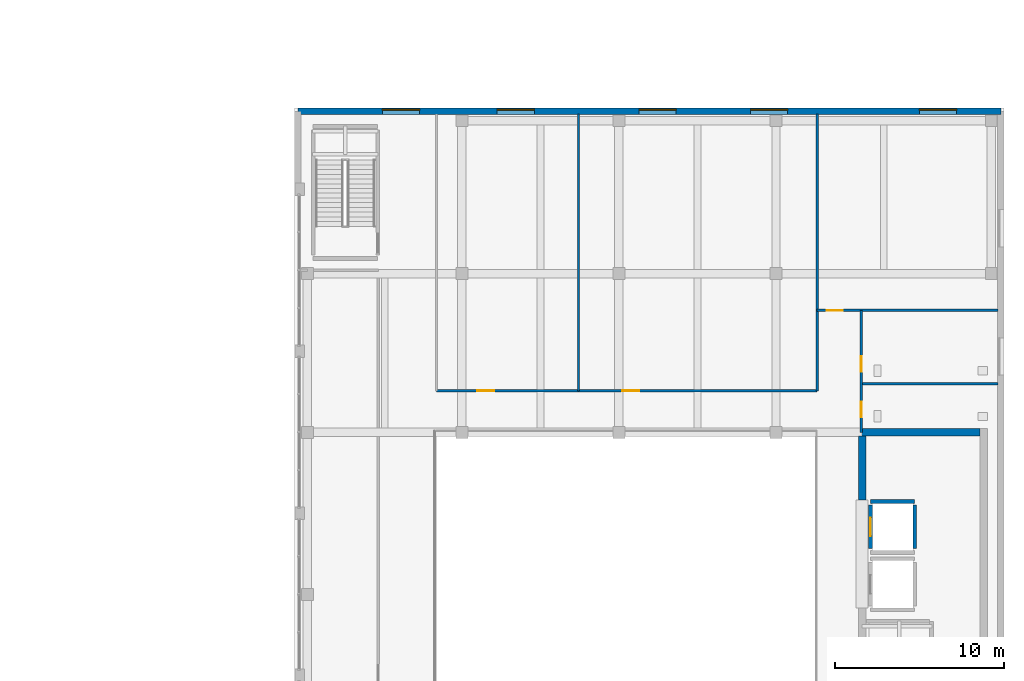
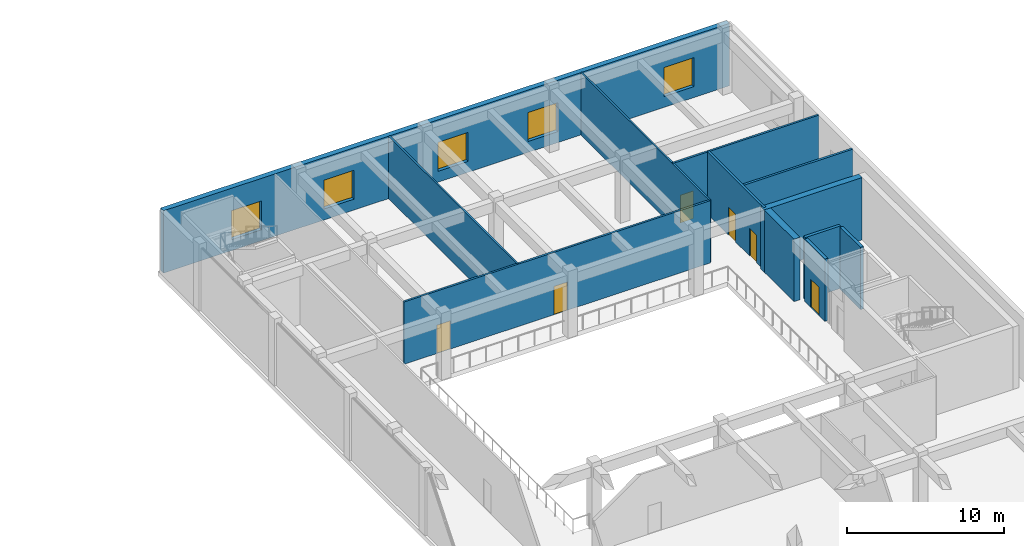
# One storey, part 8 of 22: 12 walls, 6 doors, 5 windows, 11 openings.
"""IFC4 building model written with IfcOpenShell, lengths in metres."""

from ifc_helpers import new_model, si_unit, direction, frame, frame_2d, origin, place, context, subcontext, project, spatial, rectangle, extrude, material, layer, layer_set, type_object, element, fill, save


model = new_model("IFC4")

# Units and contexts
model_context = context("Model", 3, precision=1e-05, world=origin(), true_north=direction((0.0, 1.0)))
body_context = subcontext(model_context, "Body", "Model", "MODEL_VIEW")
ifc_project = project(units=[si_unit("LENGTHUNIT", "METRE"), si_unit("AREAUNIT", "SQUARE_METRE"), si_unit("VOLUMEUNIT", "CUBIC_METRE"), si_unit("PLANEANGLEUNIT", "RADIAN"), si_unit("MASSUNIT", "GRAM", prefix="KILO")], contexts=[model_context])

# Site, building, storey
site_placement = place(None, origin())
site = spatial("IfcSite", under=ifc_project, at=site_placement, CompositionType="ELEMENT")
building_placement = place(site_placement, origin())
building = spatial("IfcBuilding", under=site, at=building_placement, Name="Norrvale University Quadrangle", CompositionType="ELEMENT")
storey_placement = place(building_placement, frame((0.0, 0.0, 5.199951171875)))
storey = spatial("IfcBuildingStorey", under=building, at=storey_placement, Name="L01", CompositionType="ELEMENT", Elevation=5.199951171875)

# Walls
ifc_material_1 = material(Name="Standard Academic Gypsum Partition")
ifc_layer_1 = layer(ifc_material_1, 0.125, Name="Standard Academic Gypsum Partition")
ifc_layer_set_1 = layer_set([ifc_layer_1], Name="Standard Academic Gypsum Partition")
wall_type_1 = type_object("IfcWallType", Name="Wall Gypsum Academic 125", PredefinedType="PARTITIONING", material=ifc_layer_set_1)
for number, where, z_axis, x_axis, name in (
    (1, (102.0, 40.860107421875, 0.0), (0.0, 0.0, 1.0), (0.0, 1.0, 0.0), "Interior Partition WL-L01-LSN-M"),
    (2, (116.139892578125, 40.860107421875, 0.0), (0.0, 0.0, 1.0), (0.0, 1.0, 0.0), "Interior Partition WL-L01-LSN-E"),
):
    element("IfcWall", number, at=place(storey_placement, frame(where, z_axis=z_axis, x_axis=x_axis)), inside=storey, type_object=wall_type_1, Name=name, PredefinedType="PARTITIONING", context=body_context, shape_type="SweptSolid", body=[
        extrude(rectangle(XDim=16.389892578125, YDim=0.125, at=frame_2d((8.19482421875, 0.0))), origin(), (0.0, 0.0, 1.0), 4.85009765625),
    ])

# Wall, openings, doors
ifc_material_2 = material(Name="Fire-Rated Gypsum Stud Partition")
ifc_layer_2 = layer(ifc_material_2, 0.14990234375, Name="Fire-Rated Gypsum Stud Partition")
ifc_layer_set_2 = layer_set([ifc_layer_2], Name="Fire-Rated Gypsum Stud Partition")
wall_type_2 = type_object("IfcWallType", Name="Wall Gypsum Corridor 150", PredefinedType="PARTITIONING", material=ifc_layer_set_2)
wall_1_placement = place(storey_placement, frame((93.60009765625, 40.860107421875, 0.0), z_axis=(0.0, 0.0, 1.0), x_axis=(1.0, 0.0, 0.0)))
wall_1 = element("IfcWall", 3, at=wall_1_placement, inside=storey, type_object=wall_type_2, Name="Interior Partition WL-L01-LSN-S", PredefinedType="PARTITIONING", context=body_context, shape_type="SweptSolid", body=[
    extrude(rectangle(XDim=22.539794921875, YDim=0.14990234375, at=frame_2d((11.27001953125, 0.0))), origin(), (0.0, 0.0, 1.0), 4.85009765625),
])
opening_1_placement = place(wall_1_placement, frame((2.39990234375, 0.0, 0.0)))
opening_1 = element("IfcOpeningElement", 4, at=opening_1_placement, cuts=wall_1, Name="Opening D04", PredefinedType="OPENING", context=body_context, shape_type="SweptSolid", body=[
    extrude(rectangle(XDim=1.0, YDim=2.199951171875, at=frame_2d((0.5, 1.10009765625))), frame((0.0, 0.0869140625, 0.0), z_axis=(0.0, -1.0, 0.0), x_axis=(1.0, 0.0, 0.0)), (0.0, 0.0, 1.0), 0.173828125),
])
opening_2_placement = place(wall_1_placement, frame((11.0, 0.0, 0.0)))
opening_2 = element("IfcOpeningElement", 5, at=opening_2_placement, cuts=wall_1, Name="Opening D04", PredefinedType="OPENING", context=body_context, shape_type="SweptSolid", body=[
    extrude(rectangle(XDim=1.0, YDim=2.199951171875, at=frame_2d((0.5, 1.10009765625))), frame((0.0, 0.0869140625, 0.0), z_axis=(0.0, -1.0, 0.0), x_axis=(1.0, 0.0, 0.0)), (0.0, 0.0, 1.0), 0.173828125),
])
ifc_material_3 = material(Name="Solid-Core Oak Fire Door", Category="wood")
door_type_1 = type_object("IfcDoorType", Name="Door Corridor 1000x2200", OperationType="NOTDEFINED", PredefinedType="DOOR", material=ifc_material_3)
door_1_placement = place(opening_1_placement, origin())
door_1 = element("IfcDoor", 6, at=door_1_placement, inside=storey, type_object=door_type_1, Name="Door Corridor 1000x2200 DR-L01-LN1", OperationType="SINGLE_SWING_LEFT", OverallHeight=2.199951171875, OverallWidth=1.0, PredefinedType="DOOR", context=body_context, shape_type="SweptSolid", body=[
    extrude(rectangle(XDim=1.0, YDim=2.199951171875, at=frame_2d((0.5, 1.10009765625))), frame((0.0, 0.02490234375, 0.0), z_axis=(0.0, -1.0, 0.0), x_axis=(1.0, 0.0, 0.0)), (0.0, 0.0, 1.0), 0.050048828125),
])
fill(opening_1, door_1)
door_2_placement = place(opening_2_placement, origin())
door_2 = element("IfcDoor", 7, at=door_2_placement, inside=storey, type_object=door_type_1, Name="Door Corridor 1000x2200 DR-L01-LN2", OperationType="SINGLE_SWING_RIGHT", OverallHeight=2.199951171875, OverallWidth=1.0, PredefinedType="DOOR", context=body_context, shape_type="SweptSolid", body=[
    extrude(rectangle(XDim=1.0, YDim=2.199951171875, at=frame_2d((0.5, 1.10009765625))), frame((0.0, 0.02490234375, 0.0), z_axis=(0.0, -1.0, 0.0), x_axis=(1.0, 0.0, 0.0)), (0.0, 0.0, 1.0), 0.050048828125),
])
fill(opening_2, door_2)

# Wall, opening, door
wall_2_placement = place(storey_placement, frame((116.139892578125, 45.6201171875, 0.0), z_axis=(0.0, 0.0, 1.0), x_axis=(1.0, 0.0, 0.0)))
wall_2 = element("IfcWall", 8, at=wall_2_placement, inside=storey, type_object=wall_type_2, Name="Interior Partition WL-L01-LNS-S", PredefinedType="PARTITIONING", context=body_context, shape_type="SweptSolid", body=[
    extrude(rectangle(XDim=10.710205078125, YDim=0.14990234375, at=frame_2d((5.35498046875, 0.0))), origin(), (0.0, 0.0, 1.0), 4.85009765625),
])
opening_3_placement = place(wall_2_placement, frame((0.550048828125, 0.0, 0.0)))
opening_3 = element("IfcOpeningElement", 9, at=opening_3_placement, cuts=wall_2, Name="Opening D07", PredefinedType="OPENING", context=body_context, shape_type="SweptSolid", body=[
    extrude(rectangle(XDim=0.949951171875, YDim=2.14990234375, at=frame_2d((0.47509765625, 1.074951171875))), frame((0.0, 0.0869140625, 0.0), z_axis=(0.0, -1.0, 0.0), x_axis=(1.0, 0.0, 0.0)), (0.0, 0.0, 1.0), 0.173828125),
])
ifc_material_4 = material(Name="Solid-Core Maple Door", Category="wood")
door_type_2 = type_object("IfcDoorType", Name="Door Office 950x2150", OperationType="NOTDEFINED", PredefinedType="DOOR", material=ifc_material_4)
door_3_placement = place(opening_3_placement, origin())
door_3 = element("IfcDoor", 10, at=door_3_placement, inside=storey, type_object=door_type_2, Name="Door Office 950x2150 DR-L01-LNS", OperationType="SINGLE_SWING_LEFT", OverallHeight=2.14990234375, OverallWidth=0.949951171875, PredefinedType="DOOR", context=body_context, shape_type="SweptSolid", body=[
    extrude(rectangle(XDim=0.949951171875, YDim=2.14990234375, at=frame_2d((0.47509765625, 1.074951171875))), frame((0.0, 0.02490234375, 0.0), z_axis=(0.0, -1.0, 0.0), x_axis=(1.0, 0.0, 0.0)), (0.0, 0.0, 1.0), 0.050048828125),
])
fill(opening_3, door_3)

# Wall
ifc_material_5 = material(Name="Sanitary Chase Gypsum Partition")
ifc_layer_3 = layer(ifc_material_5, 0.1650390625, Name="Sanitary Chase Gypsum Partition")
ifc_layer_set_3 = layer_set([ifc_layer_3], Name="Sanitary Chase Gypsum Partition")
wall_type_3 = type_object("IfcWallType", Name="Wall Gypsum Sanitary 165", PredefinedType="PLUMBINGWALL", material=ifc_layer_set_3)
wall_3_placement = place(storey_placement, frame((118.75, 41.280029296875, 0.0), z_axis=(0.0, 0.0, 1.0), x_axis=(1.0, 0.0, 0.0)))
element("IfcWall", 11, at=wall_3_placement, inside=storey, type_object=wall_type_3, Name="Interior Partition WL-L01-LWC-M1", PredefinedType="PLUMBINGWALL", context=body_context, shape_type="SweptSolid", body=[
    extrude(rectangle(XDim=8.10009765625, YDim=0.1650390625, at=frame_2d((4.050048828125, 0.0))), origin(), (0.0, 0.0, 1.0), 4.85009765625),
])

# Wall, openings, doors
wall_4_placement = place(storey_placement, frame((118.75, 38.39990234375, 0.0), z_axis=(0.0, 0.0, 1.0), x_axis=(0.0, 1.0, 0.0)))
wall_4 = element("IfcWall", 12, at=wall_4_placement, inside=storey, type_object=wall_type_3, Name="Interior Partition WL-L01-LWC-W", PredefinedType="PLUMBINGWALL", context=body_context, shape_type="SweptSolid", body=[
    extrude(rectangle(XDim=7.22021484375, YDim=0.1650390625, at=frame_2d((3.610107421875, 0.0))), origin(), (0.0, 0.0, 1.0), 4.85009765625),
])
opening_4_placement = place(wall_4_placement, frame((0.89990234375, 0.0, 0.0)))
opening_4 = element("IfcOpeningElement", 13, at=opening_4_placement, cuts=wall_4, Name="Opening D08", PredefinedType="OPENING", context=body_context, shape_type="SweptSolid", body=[
    extrude(rectangle(XDim=0.919921875, YDim=2.14990234375, at=frame_2d((0.4599609375, 1.074951171875))), frame((0.0, 0.094482421875, 0.0), z_axis=(0.0, -1.0, 0.0), x_axis=(1.0, 0.0, 0.0)), (0.0, 0.0, 1.0), 0.18896484375),
])
opening_5_placement = place(wall_4_placement, frame((3.60009765625, 0.0, 0.0)))
opening_5 = element("IfcOpeningElement", 14, at=opening_5_placement, cuts=wall_4, Name="Opening D08", PredefinedType="OPENING", context=body_context, shape_type="SweptSolid", body=[
    extrude(rectangle(XDim=0.919921875, YDim=2.14990234375, at=frame_2d((0.4599609375, 1.074951171875))), frame((0.0, 0.094482421875, 0.0), z_axis=(0.0, -1.0, 0.0), x_axis=(1.0, 0.0, 0.0)), (0.0, 0.0, 1.0), 0.18896484375),
])
ifc_material_6 = material(Name="Laminate Washroom Door", Category="wood")
door_type_3 = type_object("IfcDoorType", Name="Door Washroom 920x2150", OperationType="NOTDEFINED", PredefinedType="DOOR", material=ifc_material_6)
door_4_placement = place(opening_4_placement, origin())
door_4 = element("IfcDoor", 15, at=door_4_placement, inside=storey, type_object=door_type_3, Name="Door Washroom 920x2150 DR-L01-LWC1", OperationType="SINGLE_SWING_LEFT", OverallHeight=2.14990234375, OverallWidth=0.919921875, PredefinedType="DOOR", context=body_context, shape_type="SweptSolid", body=[
    extrude(rectangle(XDim=0.919921875, YDim=2.14990234375, at=frame_2d((0.4599609375, 1.074951171875))), frame((0.0, 0.02490234375, 0.0), z_axis=(0.0, -1.0, 0.0), x_axis=(1.0, 0.0, 0.0)), (0.0, 0.0, 1.0), 0.050048828125),
])
fill(opening_4, door_4)
door_5_placement = place(opening_5_placement, origin())
door_5 = element("IfcDoor", 16, at=door_5_placement, inside=storey, type_object=door_type_3, Name="Door Washroom 920x2150 DR-L01-LWC2", OperationType="SINGLE_SWING_RIGHT", OverallHeight=2.14990234375, OverallWidth=0.919921875, PredefinedType="DOOR", context=body_context, shape_type="SweptSolid", body=[
    extrude(rectangle(XDim=0.919921875, YDim=2.14990234375, at=frame_2d((0.4599609375, 1.074951171875))), frame((0.0, 0.02490234375, 0.0), z_axis=(0.0, -1.0, 0.0), x_axis=(1.0, 0.0, 0.0)), (0.0, 0.0, 1.0), 0.050048828125),
])
fill(opening_5, door_5)

# Wall, openings, windows
ifc_material_7 = material(Name="Buff Norman Clay Brick Masonry", Category="masonry")
ifc_layer_4 = layer(ifc_material_7, 0.3798828125, Name="Buff Norman Clay Brick Masonry")
ifc_layer_set_4 = layer_set([ifc_layer_4], Name="Buff Norman Clay Brick Masonry")
wall_type_4 = type_object("IfcWallType", Name="Wall Lib Brick 380", PredefinedType="SOLIDWALL", material=ifc_layer_set_4)
wall_5_placement = place(storey_placement, frame((85.389892578125, 57.409912109375, 0.0), z_axis=(0.0, 0.0, 1.0), x_axis=(1.0, 0.0, 0.0)))
wall_5 = element("IfcWall", 17, at=wall_5_placement, inside=storey, type_object=wall_type_4, Name="Central Library North Brick Facade L01", PredefinedType="SOLIDWALL", context=body_context, shape_type="SweptSolid", body=[
    extrude(rectangle(XDim=41.6201171875, YDim=0.3798828125, at=frame_2d((20.81005859375, 0.0))), origin(), (0.0, 0.0, 1.0), 4.85009765625),
])
opening_6_placement = place(wall_5_placement, frame((5.0, 0.0, 0.85009765625)))
opening_6 = element("IfcOpeningElement", 18, at=opening_6_placement, cuts=wall_5, Name="Opening W06", PredefinedType="OPENING", context=body_context, shape_type="SweptSolid", body=[
    extrude(rectangle(XDim=2.199951171875, YDim=2.25, at=frame_2d((1.10009765625, 1.125))), frame((0.0, 0.201904296875, 0.0), z_axis=(0.0, -1.0, 0.0), x_axis=(1.0, 0.0, 0.0)), (0.0, 0.0, 1.0), 0.40380859375),
])
opening_7_placement = place(wall_5_placement, frame((11.800048828125, 0.0, 0.85009765625)))
opening_7 = element("IfcOpeningElement", 19, at=opening_7_placement, cuts=wall_5, Name="Opening W06", PredefinedType="OPENING", context=body_context, shape_type="SweptSolid", body=[
    extrude(rectangle(XDim=2.199951171875, YDim=2.25, at=frame_2d((1.10009765625, 1.125))), frame((0.0, 0.201904296875, 0.0), z_axis=(0.0, -1.0, 0.0), x_axis=(1.0, 0.0, 0.0)), (0.0, 0.0, 1.0), 0.40380859375),
])
opening_8_placement = place(wall_5_placement, frame((20.199951171875, 0.0, 0.85009765625)))
opening_8 = element("IfcOpeningElement", 20, at=opening_8_placement, cuts=wall_5, Name="Opening W06", PredefinedType="OPENING", context=body_context, shape_type="SweptSolid", body=[
    extrude(rectangle(XDim=2.199951171875, YDim=2.25, at=frame_2d((1.10009765625, 1.125))), frame((0.0, 0.201904296875, 0.0), z_axis=(0.0, -1.0, 0.0), x_axis=(1.0, 0.0, 0.0)), (0.0, 0.0, 1.0), 0.40380859375),
])
opening_9_placement = place(wall_5_placement, frame((26.800048828125, 0.0, 0.85009765625)))
opening_9 = element("IfcOpeningElement", 21, at=opening_9_placement, cuts=wall_5, Name="Opening W06", PredefinedType="OPENING", context=body_context, shape_type="SweptSolid", body=[
    extrude(rectangle(XDim=2.199951171875, YDim=2.25, at=frame_2d((1.10009765625, 1.125))), frame((0.0, 0.201904296875, 0.0), z_axis=(0.0, -1.0, 0.0), x_axis=(1.0, 0.0, 0.0)), (0.0, 0.0, 1.0), 0.40380859375),
])
opening_10_placement = place(wall_5_placement, frame((36.800048828125, 0.0, 0.85009765625)))
opening_10 = element("IfcOpeningElement", 22, at=opening_10_placement, cuts=wall_5, Name="Opening W06", PredefinedType="OPENING", context=body_context, shape_type="SweptSolid", body=[
    extrude(rectangle(XDim=2.199951171875, YDim=2.25, at=frame_2d((1.10009765625, 1.125))), frame((0.0, 0.201904296875, 0.0), z_axis=(0.0, -1.0, 0.0), x_axis=(1.0, 0.0, 0.0)), (0.0, 0.0, 1.0), 0.40380859375),
])
ifc_material_8 = material(Name="Bird-Friendly Fritted Triple Glazing", Category="glass")
window_type = type_object("IfcWindowType", Name="Window Library 2200x2600", PartitioningType="DOUBLE_PANEL_VERTICAL", PredefinedType="WINDOW", material=ifc_material_8)
window_1_placement = place(opening_6_placement, origin())
window_1 = element("IfcWindow", 23, at=window_1_placement, inside=storey, type_object=window_type, Name="Window Library 2200x2600 WIN-L01-LN-01", OverallHeight=2.25, OverallWidth=2.199951171875, PartitioningType="DOUBLE_PANEL_VERTICAL", PredefinedType="WINDOW", context=body_context, shape_type="SweptSolid", body=[
    extrude(rectangle(XDim=2.199951171875, YDim=2.25, at=frame_2d((1.10009765625, 1.125))), frame((0.0, 0.110107421875, 0.0), z_axis=(0.0, -1.0, 0.0), x_axis=(1.0, 0.0, 0.0)), (0.0, 0.0, 1.0), 0.06005859375),
])
fill(opening_6, window_1)
window_2_placement = place(opening_7_placement, origin())
window_2 = element("IfcWindow", 24, at=window_2_placement, inside=storey, type_object=window_type, Name="Window Library 2200x2600 WIN-L01-LN-02", OverallHeight=2.25, OverallWidth=2.199951171875, PartitioningType="DOUBLE_PANEL_VERTICAL", PredefinedType="WINDOW", context=body_context, shape_type="SweptSolid", body=[
    extrude(rectangle(XDim=2.199951171875, YDim=2.25, at=frame_2d((1.10009765625, 1.125))), frame((0.0, 0.110107421875, 0.0), z_axis=(0.0, -1.0, 0.0), x_axis=(1.0, 0.0, 0.0)), (0.0, 0.0, 1.0), 0.06005859375),
])
fill(opening_7, window_2)
window_3_placement = place(opening_8_placement, origin())
window_3 = element("IfcWindow", 25, at=window_3_placement, inside=storey, type_object=window_type, Name="Window Library 2200x2600 WIN-L01-LN-03", OverallHeight=2.25, OverallWidth=2.199951171875, PartitioningType="DOUBLE_PANEL_VERTICAL", PredefinedType="WINDOW", context=body_context, shape_type="SweptSolid", body=[
    extrude(rectangle(XDim=2.199951171875, YDim=2.25, at=frame_2d((1.10009765625, 1.125))), frame((0.0, 0.110107421875, 0.0), z_axis=(0.0, -1.0, 0.0), x_axis=(1.0, 0.0, 0.0)), (0.0, 0.0, 1.0), 0.06005859375),
])
fill(opening_8, window_3)
window_4_placement = place(opening_9_placement, origin())
window_4 = element("IfcWindow", 26, at=window_4_placement, inside=storey, type_object=window_type, Name="Window Library 2200x2600 WIN-L01-LN-04", OverallHeight=2.25, OverallWidth=2.199951171875, PartitioningType="DOUBLE_PANEL_VERTICAL", PredefinedType="WINDOW", context=body_context, shape_type="SweptSolid", body=[
    extrude(rectangle(XDim=2.199951171875, YDim=2.25, at=frame_2d((1.10009765625, 1.125))), frame((0.0, 0.110107421875, 0.0), z_axis=(0.0, -1.0, 0.0), x_axis=(1.0, 0.0, 0.0)), (0.0, 0.0, 1.0), 0.06005859375),
])
fill(opening_9, window_4)
window_5_placement = place(opening_10_placement, origin())
window_5 = element("IfcWindow", 27, at=window_5_placement, inside=storey, type_object=window_type, Name="Window Library 2200x2600 WIN-L01-LN-05", OverallHeight=2.25, OverallWidth=2.199951171875, PartitioningType="DOUBLE_PANEL_VERTICAL", PredefinedType="WINDOW", context=body_context, shape_type="SweptSolid", body=[
    extrude(rectangle(XDim=2.199951171875, YDim=2.25, at=frame_2d((1.10009765625, 1.125))), frame((0.0, 0.110107421875, 0.0), z_axis=(0.0, -1.0, 0.0), x_axis=(1.0, 0.0, 0.0)), (0.0, 0.0, 1.0), 0.06005859375),
])
fill(opening_10, window_5)

# Walls
ifc_material_9 = material(Name="Concrete C60/75", Category="concrete")
ifc_layer_5 = layer(ifc_material_9, 0.449951171875, Name="Concrete C60/75")
ifc_layer_set_5 = layer_set([ifc_layer_5], Name="Concrete C60/75")
wall_type_5 = type_object("IfcWallType", Name="Wall Lib Core 450", PredefinedType="SHEAR", material=ifc_layer_set_5)
wall_6_placement = place(storey_placement, frame((118.574951171875, 38.39990234375, 0.0), z_axis=(0.0, 0.0, 1.0), x_axis=(1.0, 0.0, 0.0)))
element("IfcWall", 28, at=wall_6_placement, inside=storey, type_object=wall_type_5, Name="Library Core Shear Wall L01-N", PredefinedType="SHEAR", context=body_context, shape_type="SweptSolid", body=[
    extrude(rectangle(XDim=7.199951171875, YDim=0.449951171875, at=frame_2d((3.60009765625, 0.0))), origin(), (0.0, 0.0, 1.0), 4.85009765625),
])
wall_7_placement = place(storey_placement, frame((118.800048828125, 34.39990234375, 0.0), z_axis=(0.0, 0.0, 1.0), x_axis=(0.0, 1.0, 0.0)))
element("IfcWall", 29, at=wall_7_placement, inside=storey, type_object=wall_type_5, Name="Library Core Shear Wall L01-W2", PredefinedType="SHEAR", context=body_context, shape_type="SweptSolid", body=[
    extrude(rectangle(XDim=3.775146484375, YDim=0.449951171875, at=frame_2d((1.8876953125, 0.0))), origin(), (0.0, 0.0, 1.0), 4.85009765625),
])

# Wall, opening, door
ifc_material_10 = material(Name="Concrete Blockwork 20 MPa Fire Shaft", Category="masonry")
ifc_layer_6 = layer(ifc_material_10, 0.219970703125, Name="Concrete Blockwork 20 MPa Fire Shaft")
ifc_layer_set_6 = layer_set([ifc_layer_6], Name="Concrete Blockwork 20 MPa Fire Shaft")
wall_type_6 = type_object("IfcWallType", Name="Wall Shaft 220", PredefinedType="SOLIDWALL", material=ifc_layer_set_6)
wall_8_placement = place(storey_placement, frame((119.2900390625, 31.510009765625, 0.0), z_axis=(0.0, 0.0, 1.0), x_axis=(0.0, 1.0, 0.0)))
wall_8 = element("IfcWall", 30, at=wall_8_placement, inside=storey, type_object=wall_type_6, Name="Hoistway LL-02 West Wall L01", PredefinedType="SOLIDWALL", context=body_context, shape_type="SweptSolid", body=[
    extrude(rectangle(XDim=2.580078125, YDim=0.219970703125, at=frame_2d((1.2900390625, 0.0))), origin(), (0.0, 0.0, 1.0), 4.85009765625),
])
opening_11_placement = place(wall_8_placement, frame((0.739990234375, 0.0, 0.0)))
opening_11 = element("IfcOpeningElement", 31, at=opening_11_placement, cuts=wall_8, Name="Opening LD1", PredefinedType="OPENING", context=body_context, shape_type="SweptSolid", body=[
    extrude(rectangle(XDim=1.10009765625, YDim=2.199951171875, at=frame_2d((0.550048828125, 1.10009765625))), frame((0.0, 0.1220703125, 0.0), z_axis=(0.0, -1.0, 0.0), x_axis=(1.0, 0.0, 0.0)), (0.0, 0.0, 1.0), 0.243896484375),
])
ifc_material_11 = material(Name="Stainless Steel 316L Lift Landing Door", Category="steel")
door_type_4 = type_object("IfcDoorType", Name="Door Lift Landing 1100x2200", OperationType="DOUBLE_DOOR_SLIDING", PredefinedType="DOOR", material=ifc_material_11)
door_6_placement = place(opening_11_placement, origin())
door_6 = element("IfcDoor", 32, at=door_6_placement, inside=storey, type_object=door_type_4, Name="Elevator Landing Door DR-L01-LL-02", OperationType="DOUBLE_DOOR_SLIDING", OverallHeight=2.199951171875, OverallWidth=1.10009765625, PredefinedType="DOOR", context=body_context, shape_type="SweptSolid", body=[
    extrude(rectangle(XDim=1.10009765625, YDim=2.199951171875, at=frame_2d((0.550048828125, 1.10009765625))), frame((0.0, 0.02490234375, 0.0), z_axis=(0.0, -1.0, 0.0), x_axis=(1.0, 0.0, 0.0)), (0.0, 0.0, 1.0), 0.050048828125),
])
fill(opening_11, door_6)

# Walls
wall_9_placement = place(storey_placement, frame((121.909912109375, 31.510009765625, 0.0), z_axis=(0.0, 0.0, 1.0), x_axis=(0.0, 1.0, 0.0)))
element("IfcWall", 33, at=wall_9_placement, inside=storey, type_object=wall_type_6, Name="Hoistway LL-02 East Wall L01", PredefinedType="SOLIDWALL", context=body_context, shape_type="SweptSolid", body=[
    extrude(rectangle(XDim=2.580078125, YDim=0.219970703125, at=frame_2d((1.2900390625, 0.0))), origin(), (0.0, 0.0, 1.0), 4.85009765625),
])
wall_10_placement = place(storey_placement, frame((119.2900390625, 34.31005859375, 0.0), z_axis=(0.0, 0.0, 1.0), x_axis=(1.0, 0.0, 0.0)))
element("IfcWall", 34, at=wall_10_placement, inside=storey, type_object=wall_type_6, Name="Hoistway LL-02 North Wall L01", PredefinedType="SOLIDWALL", context=body_context, shape_type="SweptSolid", body=[
    extrude(rectangle(XDim=2.619873046875, YDim=0.219970703125, at=frame_2d((1.31005859375, 0.0))), origin(), (0.0, 0.0, 1.0), 4.85009765625),
])

save(model, "model.ifc")
